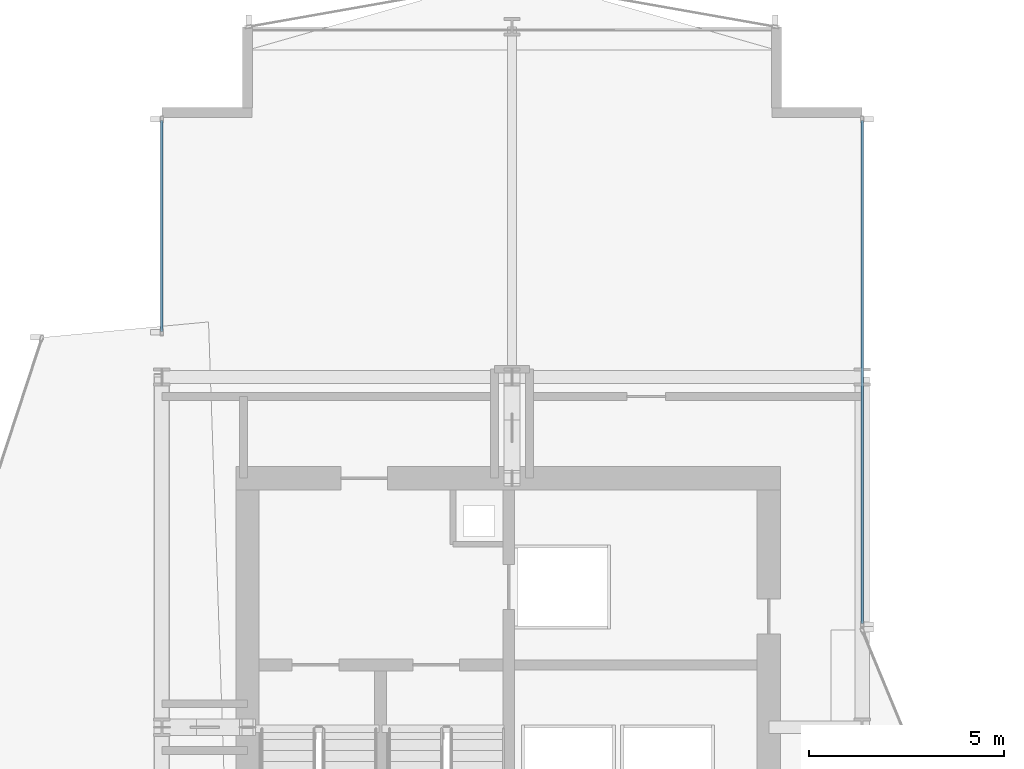
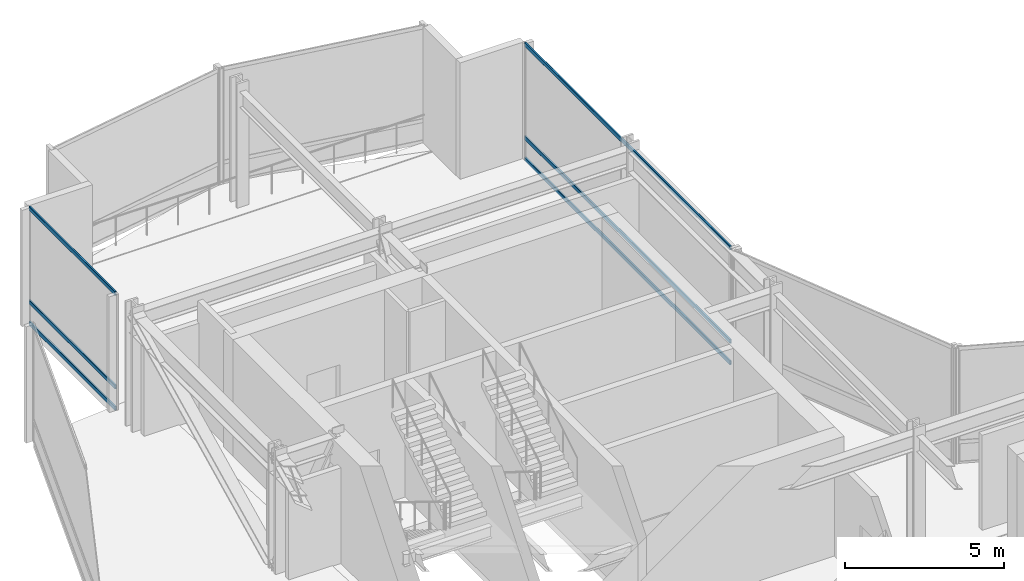
# One storey, part 24 of 42: 6 members, 2 elements without a shape of their own.
"""IFC4 building model written with IfcOpenShell, lengths in metres."""

import ifcopenshell
import ifcopenshell.guid

model = None  # the IFC model being written
_history = None  # IfcOwnerHistory: only IFC2X3 demands one
_inside = {}  # id of a spatial element -> (the spatial element, [elements in it])
_under = {}  # id of a project, library or spatial element -> (it, [spatial elements below it])
_declared = {}  # id of a project -> (the project, [libraries it declares])
_typed = {}  # id of a type object -> (the type object, [elements of that type])
_made_of = {}  # id of a material, layer set ... -> (it, [elements and type objects made of it])


def new_model(schema):
    """Start an empty IFC model of exactly this schema.

    Asked for "IFC4X3", IfcOpenShell would pick the latest addendum, in which some entities
    have other attributes; the version numbers below select the first issue.
    IFC2X3 requires an IfcOwnerHistory on every rooted entity: one is made here for all.
    """
    global model, _history
    if schema == "IFC4X3":
        model = ifcopenshell.file(schema_version=(4, 3, 0, 0))
    else:
        model = ifcopenshell.file(schema=schema)
    _inside.clear()
    _under.clear()
    _declared.clear()
    _typed.clear()
    _made_of.clear()
    _history = None
    if model.schema == "IFC2X3":
        org = make("IfcOrganization", Name="unknown")
        user = make(
            "IfcPersonAndOrganization",
            ThePerson=make("IfcPerson", FamilyName="unknown"),
            TheOrganization=org,
        )
        app = make(
            "IfcApplication",
            ApplicationDeveloper=org,
            Version="unknown",
            ApplicationFullName="unknown",
            ApplicationIdentifier="unknown",
        )
        _history = make(
            "IfcOwnerHistory",
            OwningUser=user,
            OwningApplication=app,
            ChangeAction="ADDED",
            CreationDate=0,
        )
    return model


def make(cls, **values):
    """One entity of the class cls with the attributes given. An attribute that is None is left unset."""
    return model.create_entity(
        cls, **{name: value for name, value in values.items() if value is not None}
    )


def rooted(cls, **values):
    """An entity with a GlobalId (a new one), such as an element, a storey or a relation."""
    return make(cls, GlobalId=ifcopenshell.guid.new(), OwnerHistory=_history, **values)


def si_unit(unit_type, name, prefix=None):
    """IfcSIUnit, for example si_unit("LENGTHUNIT", "METRE", prefix="MILLI")."""
    return make("IfcSIUnit", UnitType=unit_type, Prefix=prefix, Name=name)


def assignment(units):
    """IfcUnitAssignment: the units of a project."""
    return None if units is None else make("IfcUnitAssignment", Units=units)


def point(xyz):
    """IfcCartesianPoint."""
    return None if xyz is None else make("IfcCartesianPoint", Coordinates=xyz)


def direction(xyz):
    """IfcDirection."""
    return None if xyz is None else make("IfcDirection", DirectionRatios=xyz)


def frame(location, z_axis=None, x_axis=None):
    """IfcAxis2Placement3D, a coordinate frame: its origin and axes. An axis left out is left unset."""
    return make(
        "IfcAxis2Placement3D",
        Location=point(location),
        Axis=direction(z_axis),
        RefDirection=direction(x_axis),
    )


def frame_2d(location, x_axis=None):
    """IfcAxis2Placement2D, a coordinate frame in the plane: its origin and x axis."""
    return make(
        "IfcAxis2Placement2D", Location=point(location), RefDirection=direction(x_axis)
    )


def origin():
    """The frame at (0, 0, 0) with its axes left unset."""
    return frame((0.0, 0.0, 0.0))


def origin_2d():
    """The frame at (0, 0) in the plane with its x axis left unset."""
    return frame_2d((0.0, 0.0))


def place(relative_to, where):
    """IfcLocalPlacement: puts the frame where relative to a parent placement (None: the world)."""
    return make(
        "IfcLocalPlacement", PlacementRelTo=relative_to, RelativePlacement=where
    )


def context(
    kind, dimensions, precision=None, world=None, true_north=None, identifier=None
):
    """IfcGeometricRepresentationContext, for example the 3D "Model" context."""
    return make(
        "IfcGeometricRepresentationContext",
        ContextIdentifier=identifier,
        ContextType=kind,
        CoordinateSpaceDimension=dimensions,
        Precision=precision,
        WorldCoordinateSystem=world,
        TrueNorth=true_north,
    )


def subcontext(parent, identifier, kind, view, scale=None):
    """IfcGeometricRepresentationSubContext, for example "Body" below "Model"."""
    return make(
        "IfcGeometricRepresentationSubContext",
        ContextIdentifier=identifier,
        ContextType=kind,
        ParentContext=parent,
        TargetScale=scale,
        TargetView=view,
    )


def project(units=None, contexts=None):
    """IfcProject with its units and contexts."""
    return rooted(
        "IfcProject",
        Name="project",
        RepresentationContexts=contexts,
        UnitsInContext=assignment(units),
    )


def spatial(cls, under=None, at=None, **own):
    """A site, building, storey or space (cls), placed at a placement, below another one or the project."""
    s = rooted(cls, ObjectPlacement=at, **own)
    if under is not None:
        _under.setdefault(under.id(), (under, []))[1].append(s)
    return s


def profile(cls, at=None, kind="AREA", **sizes):
    """A parametric profile (cls). Its sizes go by their IFC names, for example OverallWidth=200.0."""
    return make(cls, ProfileType=kind, Position=at, **sizes)


def hollow_rectangle(**sizes):
    """IfcRectangleHollowProfileDef."""
    return profile("IfcRectangleHollowProfileDef", **sizes)


def extrude(swept, where, along, depth):
    """IfcExtrudedAreaSolid: the profile swept, set in the frame where, extruded along a direction by depth."""
    return make(
        "IfcExtrudedAreaSolid",
        SweptArea=swept,
        Position=where,
        ExtrudedDirection=direction(along),
        Depth=depth,
    )


def shape(context_of_items, identifier, shape_type, items):
    """IfcShapeRepresentation: the items that make up one representation, for example the "Body"."""
    return make(
        "IfcShapeRepresentation",
        ContextOfItems=context_of_items,
        RepresentationIdentifier=identifier,
        RepresentationType=shape_type,
        Items=items,
    )


def material(Name=None, Category=None):
    """IfcMaterial."""
    return make("IfcMaterial", Name=Name, Category=Category)


def layer(
    of_material, thickness, ventilated=None, Name=None, Category=None, Priority=None
):
    """IfcMaterialLayer: one layer of a wall or slab, of a material (None: an air gap)."""
    return make(
        "IfcMaterialLayer",
        Material=of_material,
        LayerThickness=thickness,
        IsVentilated=ventilated,
        Name=Name,
        Category=Category,
        Priority=Priority,
    )


def layer_set(layers, Name=None):
    """IfcMaterialLayerSet."""
    return make("IfcMaterialLayerSet", MaterialLayers=layers, LayerSetName=Name)


def material_profile(
    of_material, cross_section, Name=None, Category=None, Priority=None
):
    """IfcMaterialProfile: a cross section and its material."""
    return make(
        "IfcMaterialProfile",
        Name=Name,
        Material=of_material,
        Profile=cross_section,
        Priority=Priority,
        Category=Category,
    )


def profile_set(profiles, Name=None, composite=None):
    """IfcMaterialProfileSet."""
    return make(
        "IfcMaterialProfileSet",
        Name=Name,
        MaterialProfiles=profiles,
        CompositeProfile=composite,
    )


def made_of(thing, what):
    """Note that an element or type object is made of a material, layer set ...; save() writes the relation."""
    if what is not None:
        _made_of.setdefault(what.id(), (what, []))[1].append(thing)
    return thing


def type_object(cls, material=None, **own):
    """A type object (cls), such as IfcWallType, which elements share."""
    return made_of(rooted(cls, **own), material)


def element(
    cls,
    number,
    at=None,
    inside=None,
    cuts=None,
    type_object=None,
    material=None,
    context=None,
    identifier="Body",
    shape_type=None,
    held_by="IfcProductDefinitionShape",
    body=None,
    shapes=None,
    **own,
):
    """One element of the class cls, such as IfcWall. Its Tag is "e" and its number.

    at: its placement. inside: the storey or other place that contains it. cuts: it is an
    opening in that element (IfcRelVoidsElement). A single representation is given by context,
    identifier, shape_type and body (its items); several are given by shapes. held_by: the class
    of the entity that holds the representations. save() writes the other relations.
    """
    e = rooted(cls, Tag="e%d" % number, ObjectPlacement=at, **own)
    if body is not None:
        shapes = [shape(context, identifier, shape_type, body)]
    if shapes is not None:
        e.Representation = make(held_by, Representations=shapes)
    if inside is not None:
        _inside.setdefault(inside.id(), (inside, []))[1].append(e)
    if cuts is not None:
        rooted(
            "IfcRelVoidsElement", RelatingBuildingElement=cuts, RelatedOpeningElement=e
        )
    if type_object is not None:
        _typed.setdefault(type_object.id(), (type_object, []))[1].append(e)
    return made_of(e, material)


def aggregate(whole, parts):
    """IfcRelAggregates: a whole, such as a stair, and the parts it consists of."""
    return rooted("IfcRelAggregates", RelatingObject=whole, RelatedObjects=parts)


def save(model, path):
    """Write the relations noted so far, then the file.

    IfcRelAggregates (storeys below a building ...), IfcRelContainedInSpatialStructure (elements
    in a storey), IfcRelDefinesByType, IfcRelAssociatesMaterial and IfcRelDeclares: one each for
    every whole, place, type object, material and project.
    """
    for whole, parts in _under.values():
        aggregate(whole, parts)
    for where, things in _inside.values():
        rooted(
            "IfcRelContainedInSpatialStructure",
            RelatedElements=things,
            RelatingStructure=where,
        )
    for kind, things in _typed.values():
        rooted("IfcRelDefinesByType", RelatedObjects=things, RelatingType=kind)
    for what, things in _made_of.values():
        rooted("IfcRelAssociatesMaterial", RelatedObjects=things, RelatingMaterial=what)
    for by, libraries in _declared.values():
        rooted("IfcRelDeclares", RelatingContext=by, RelatedDefinitions=libraries)
    model.write(path)


model = new_model("IFC4")

# Units and contexts
model_context = context("Model", 3, precision=1e-05, world=origin(), true_north=direction((0.0, 1.0)))
body_context = subcontext(model_context, "Body", "Model", "MODEL_VIEW")
ifc_project = project(units=[si_unit("LENGTHUNIT", "METRE"), si_unit("AREAUNIT", "SQUARE_METRE"), si_unit("VOLUMEUNIT", "CUBIC_METRE"), si_unit("PLANEANGLEUNIT", "RADIAN"), si_unit("MASSUNIT", "GRAM", prefix="KILO")], contexts=[model_context])

# Site, building, storey
site_placement = place(None, origin())
site = spatial("IfcSite", under=ifc_project, at=site_placement, CompositionType="ELEMENT")
building_placement = place(site_placement, origin())
building = spatial("IfcBuilding", under=site, at=building_placement, Name="Solvaryn Broadcast Tower", CompositionType="ELEMENT")
storey_placement = place(building_placement, frame((0.0, 0.0, 100.199951171875)))
storey = spatial("IfcBuildingStorey", under=building, at=storey_placement, Name="L24", CompositionType="ELEMENT", Elevation=100.199951171875)

# Curtain wall, members
ifc_material_1 = material(Name="Aluminium and Terracotta Unitised Curtain Wall", Category="masonry")
ifc_layer = layer(ifc_material_1, 0.199951171875)
ifc_layer_set = layer_set([ifc_layer], Name="CW-SYS2-LOWMID")
curtain_wall_type = type_object("IfcCurtainWallType", Name="CW-SYS2-LOWMID", PredefinedType="NOTDEFINED", material=ifc_layer_set)
curtain_wall_1_placement = place(storey_placement, origin())
curtain_wall_1 = element("IfcCurtainWall", 1, at=curtain_wall_1_placement, inside=storey, type_object=curtain_wall_type, Name="L24 Curtain Wall W2", PredefinedType="NOTDEFINED")
ifc_material_2 = material(Name="Anodised Aluminium 6063-T6", Category="aluminium")
ifc_material_profile = material_profile(ifc_material_2, hollow_rectangle(XDim=0.06494140625, YDim=0.14990234375, WallThickness=0.00390625, InnerFilletRadius=0.00390625, OuterFilletRadius=0.008056640625, at=origin_2d()))
ifc_profile_set = profile_set([ifc_material_profile], Name="Anodised Aluminium 6063-T6")
member_type = type_object("IfcMemberType", Name="CW-TRN-150", PredefinedType="USERDEFINED", material=ifc_profile_set)
member_1_placement = place(storey_placement, frame((9.0, 46.176025390625, 0.030029296875), z_axis=(0.0, 1.0, 0.0), x_axis=(-1.0, 0.0, 0.0)))
member_1 = element("IfcMember", 2, at=member_1_placement, type_object=member_type, Name="CWS2 transom 1.1", ObjectType="TRANSOM", PredefinedType="USERDEFINED", context=body_context, shape_type="SweptSolid", body=[
    extrude(hollow_rectangle(XDim=0.06494140625, YDim=0.14990234375, WallThickness=0.00390625, InnerFilletRadius=0.00390625, OuterFilletRadius=0.008056640625, at=origin_2d()), origin(), (0.0, 0.0, 1.0), 5.4140625),
])
member_2_placement = place(storey_placement, frame((9.0, 46.176025390625, 0.85009765625), z_axis=(0.0, 1.0, 0.0), x_axis=(-1.0, 0.0, 0.0)))
member_2 = element("IfcMember", 3, at=member_2_placement, type_object=member_type, Name="CWS2 transom 1.2", ObjectType="TRANSOM", PredefinedType="USERDEFINED", context=body_context, shape_type="SweptSolid", body=[
    extrude(hollow_rectangle(XDim=0.06494140625, YDim=0.14990234375, WallThickness=0.00390625, InnerFilletRadius=0.00390625, OuterFilletRadius=0.008056640625, at=origin_2d()), origin(), (0.0, 0.0, 1.0), 5.4140625),
])
member_3_placement = place(storey_placement, frame((9.0, 46.176025390625, 4.43994140625), z_axis=(0.0, 1.0, 0.0), x_axis=(-1.0, 0.0, 0.0)))
member_3 = element("IfcMember", 4, at=member_3_placement, type_object=member_type, Name="CWS2 transom 1.3", ObjectType="TRANSOM", PredefinedType="USERDEFINED", context=body_context, shape_type="SweptSolid", body=[
    extrude(hollow_rectangle(XDim=0.06494140625, YDim=0.14990234375, WallThickness=0.00390625, InnerFilletRadius=0.00390625, OuterFilletRadius=0.008056640625, at=origin_2d()), origin(), (0.0, 0.0, 1.0), 5.4140625),
])
aggregate(curtain_wall_1, [member_1, member_2, member_3])

curtain_wall_2_placement = place(storey_placement, origin())
curtain_wall_2 = element("IfcCurtainWall", 5, at=curtain_wall_2_placement, inside=storey, type_object=curtain_wall_type, Name="L24 Curtain Wall IV", PredefinedType="NOTDEFINED")
member_4_placement = place(storey_placement, frame((27.0, 51.590087890625, 0.030029296875), z_axis=(0.0, -1.0, 0.0), x_axis=(1.0, 0.0, 0.0)))
member_4 = element("IfcMember", 6, at=member_4_placement, type_object=member_type, Name="CWS2 transom 1.1", ObjectType="TRANSOM", PredefinedType="USERDEFINED", context=body_context, shape_type="SweptSolid", body=[
    extrude(hollow_rectangle(XDim=0.06494140625, YDim=0.14990234375, WallThickness=0.00390625, InnerFilletRadius=0.00390625, OuterFilletRadius=0.008056640625, at=origin_2d()), origin(), (0.0, 0.0, 1.0), 12.93017578125),
])
member_5_placement = place(storey_placement, frame((27.0, 51.590087890625, 0.85009765625), z_axis=(0.0, -1.0, 0.0), x_axis=(1.0, 0.0, 0.0)))
member_5 = element("IfcMember", 7, at=member_5_placement, type_object=member_type, Name="CWS2 transom 1.2", ObjectType="TRANSOM", PredefinedType="USERDEFINED", context=body_context, shape_type="SweptSolid", body=[
    extrude(hollow_rectangle(XDim=0.06494140625, YDim=0.14990234375, WallThickness=0.00390625, InnerFilletRadius=0.00390625, OuterFilletRadius=0.008056640625, at=origin_2d()), origin(), (0.0, 0.0, 1.0), 12.93017578125),
])
member_6_placement = place(storey_placement, frame((27.0, 51.590087890625, 4.43994140625), z_axis=(0.0, -1.0, 0.0), x_axis=(1.0, 0.0, 0.0)))
member_6 = element("IfcMember", 8, at=member_6_placement, type_object=member_type, Name="CWS2 transom 1.3", ObjectType="TRANSOM", PredefinedType="USERDEFINED", context=body_context, shape_type="SweptSolid", body=[
    extrude(hollow_rectangle(XDim=0.06494140625, YDim=0.14990234375, WallThickness=0.00390625, InnerFilletRadius=0.00390625, OuterFilletRadius=0.008056640625, at=origin_2d()), origin(), (0.0, 0.0, 1.0), 12.93017578125),
])
aggregate(curtain_wall_2, [member_4, member_5, member_6])

save(model, "model.ifc")
